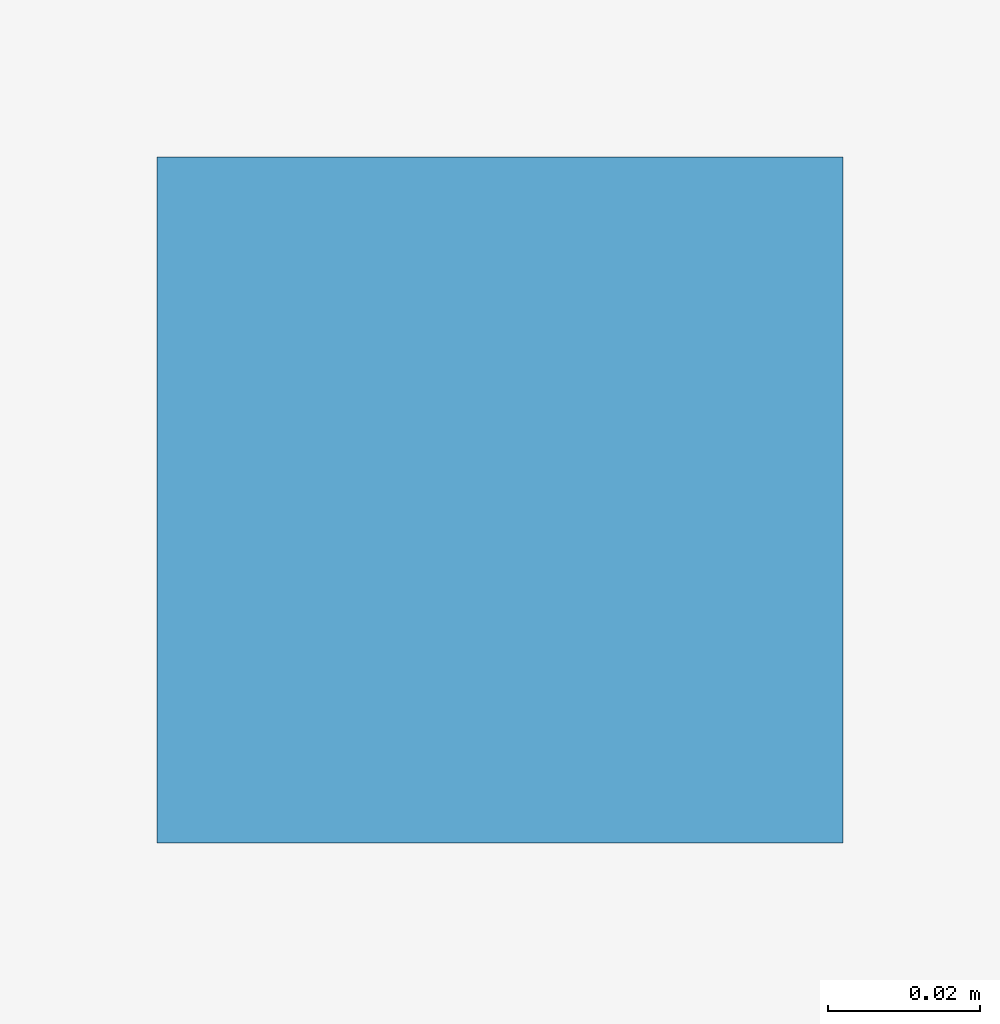
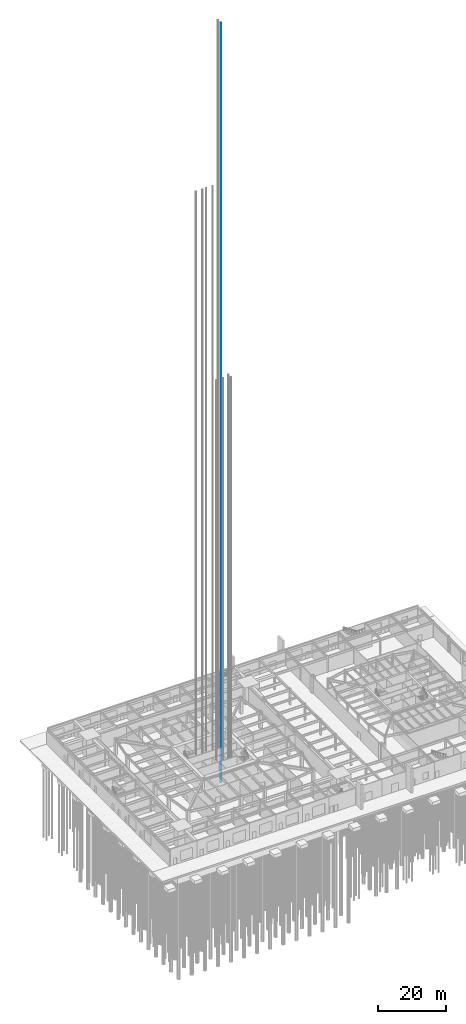
# One storey, part 29 of 37: 1 discrete accessory.
"""IFC4 building model written with IfcOpenShell, lengths in metres."""

from ifc_helpers import new_model, si_unit, direction, frame, origin, origin_2d, place, context, subcontext, project, spatial, rectangle, extrude, material, element, save


model = new_model("IFC4")

# Units and contexts
model_context = context("Model", 3, precision=1e-05, world=origin(), true_north=direction((0.0, 1.0)))
body_context = subcontext(model_context, "Body", "Model", "MODEL_VIEW")
ifc_project = project(units=[si_unit("LENGTHUNIT", "METRE"), si_unit("AREAUNIT", "SQUARE_METRE"), si_unit("VOLUMEUNIT", "CUBIC_METRE"), si_unit("PLANEANGLEUNIT", "RADIAN"), si_unit("MASSUNIT", "GRAM", prefix="KILO")], contexts=[model_context])

# Site, building, storey
site_placement = place(None, origin())
site = spatial("IfcSite", under=ifc_project, at=site_placement, CompositionType="ELEMENT")
building_placement = place(site_placement, origin())
building = spatial("IfcBuilding", under=site, at=building_placement, Name="Iwan Alto Co-Living Towers", CompositionType="ELEMENT")
storey_placement = place(building_placement, origin())
storey = spatial("IfcBuildingStorey", under=building, at=storey_placement, Name="L00", CompositionType="ELEMENT", Elevation=0.0)

# Discrete accessory
ifc_material = material(Name="Steel ASTM A36", Category="steel")
placement = place(storey_placement, frame((3.43359375, 3.0, 0.0), z_axis=(0.0, 0.0, 1.0), x_axis=(1.0, 0.0, 0.0)))
discrete_accessory_placement = place(placement, origin())
element("IfcDiscreteAccessory", 1, at=discrete_accessory_placement, inside=storey, material=ifc_material, Name="Lift P4-3 guide rail 1", ObjectType="Lift guide rail", PredefinedType="USERDEFINED", context=body_context, shape_type="SweptSolid", body=[
    extrude(rectangle(XDim=0.09, YDim=0.09, at=origin_2d()), frame((0.0, -0.85009765625, -6.89990234375)), (0.0, 0.0, 1.0), 273.300048828125),
])

save(model, "model.ifc")
